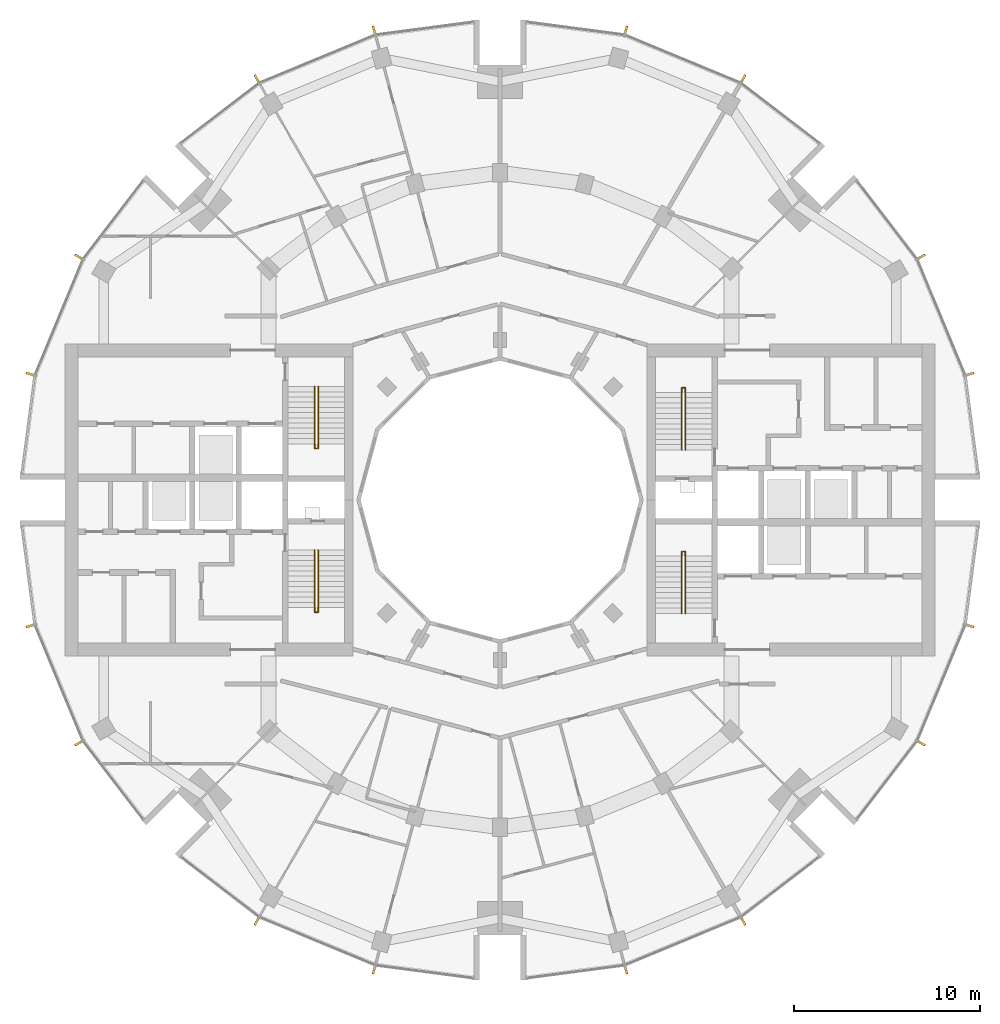
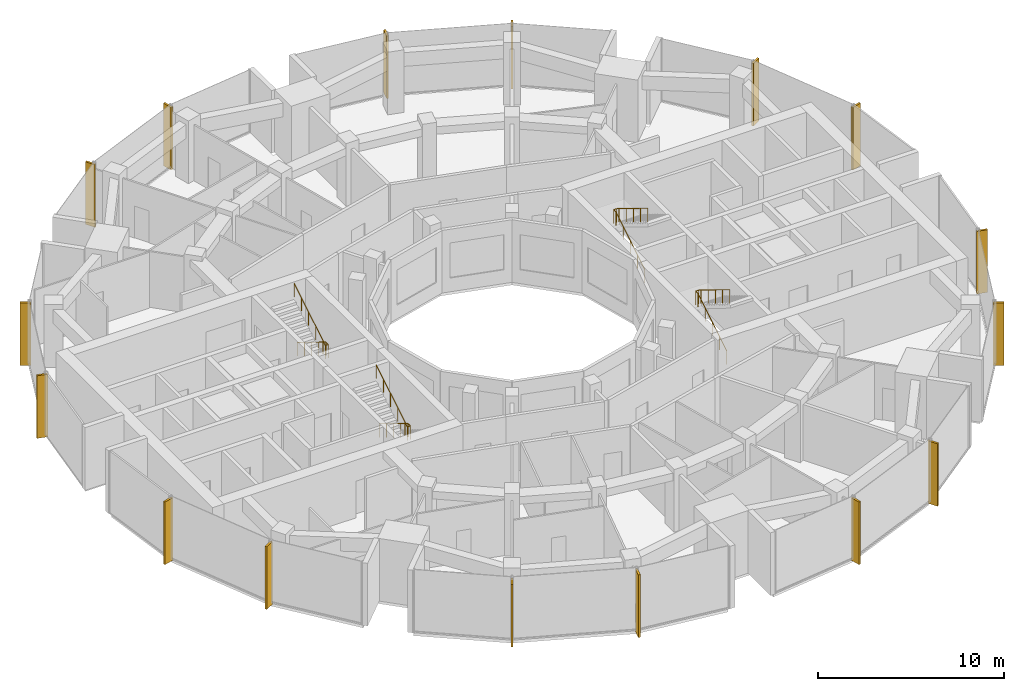
# One storey, part 14 of 15: 16 shading devices, 4 railings.
"""IFC4 building model written with IfcOpenShell, lengths in metres."""

from ifc_helpers import new_model, si_unit, direction, frame, origin, origin_2d, place, context, subcontext, project, spatial, rectangle, circle, extrude, material, material_profile, profile_set, type_object, element, save


model = new_model("IFC4")

# Units and contexts
model_context = context("Model", 3, precision=1e-05, world=origin(), true_north=direction((0.0, 1.0)))
body_context = subcontext(model_context, "Body", "Model", "MODEL_VIEW")
ifc_project = project(units=[si_unit("LENGTHUNIT", "METRE"), si_unit("AREAUNIT", "SQUARE_METRE"), si_unit("VOLUMEUNIT", "CUBIC_METRE"), si_unit("PLANEANGLEUNIT", "RADIAN"), si_unit("MASSUNIT", "GRAM", prefix="KILO")], contexts=[model_context])

# Site, building, storey
site_placement = place(None, origin())
site = spatial("IfcSite", under=ifc_project, at=site_placement, CompositionType="ELEMENT")
building_placement = place(site_placement, origin())
building = spatial("IfcBuilding", under=site, at=building_placement, Name="Torre Brocal", CompositionType="ELEMENT")
storey_placement = place(building_placement, frame((0.0, 0.0, 165.89990234375)))
storey = spatial("IfcBuildingStorey", under=building, at=storey_placement, Name="L38", CompositionType="ELEMENT", Elevation=165.89990234375)

# Shading devices
ifc_material_1 = material(Name="Aluminium, black anodised", Category="aluminium")
ifc_material_profile = material_profile(ifc_material_1, rectangle(XDim=0.1201171875, YDim=0.60009765625, at=origin_2d()), Name="FIN 120X600 4100 HIGH")
ifc_profile_set = profile_set([ifc_material_profile], Name="Aluminium, black anodised")
shading_device_type = type_object("IfcShadingDeviceType", Name="FIN 120X600 4100 HIGH", PredefinedType="USERDEFINED", material=ifc_profile_set)
for number, where, z_axis, x_axis, name in (
    (1, (105.208984375, 81.754638671875, -0.14990234375), (0.0, 0.0, 1.0), (-0.258819045103, 0.965925826289, 0.0), "FIN"),
    (2, (102.601806640625, 88.049072265625, -0.14990234375), (0.0, 0.0, 1.0), (-0.5, 0.866025403784, 0.0), "FIN"),
    (3, (93.049072265625, 97.601806640625, -0.14990234375), (0.0, 0.0, 1.0), (-0.866025403784, 0.5, 0.0), "FIN"),
    (4, (86.754638671875, 100.208984375, -0.14990234375), (0.0, 0.0, 1.0), (-0.965925826289, 0.258819045103, 0.0), "FIN"),
    (5, (73.245361328125, 100.208984375, -0.14990234375), (0.0, 0.0, 1.0), (-0.965925826289, -0.258819045103, 0.0), "FIN"),
    (6, (66.950927734375, 97.601806640625, -0.14990234375), (0.0, 0.0, 1.0), (-0.866025403784, -0.5, 0.0), "FIN"),
    (7, (57.398193359375, 88.049072265625, -0.14990234375), (0.0, 0.0, 1.0), (-0.5, -0.866025403784, 0.0), "FIN"),
    (8, (54.791015625, 81.754638671875, -0.14990234375), (0.0, 0.0, 1.0), (-0.258819045103, -0.965925826289, 0.0), "FIN"),
    (9, (54.791015625, 68.245361328125, -0.14990234375), (0.0, 0.0, 1.0), (0.258819045103, -0.965925826289, 0.0), "FIN"),
    (10, (57.398193359375, 61.950927734375, -0.14990234375), (0.0, 0.0, 1.0), (0.5, -0.866025403784, 0.0), "FIN"),
    (11, (66.950927734375, 52.398193359375, -0.14990234375), (0.0, 0.0, 1.0), (0.866025403784, -0.5, 0.0), "FIN"),
    (12, (73.245361328125, 49.791015625, -0.14990234375), (0.0, 0.0, 1.0), (0.965925826289, -0.258819045103, 0.0), "FIN"),
    (13, (86.754638671875, 49.791015625, -0.14990234375), (0.0, 0.0, 1.0), (0.965925826289, 0.258819045103, 0.0), "FIN"),
    (14, (93.049072265625, 52.398193359375, -0.14990234375), (0.0, 0.0, 1.0), (0.866025403784, 0.5, 0.0), "FIN"),
    (15, (102.601806640625, 61.950927734375, -0.14990234375), (0.0, 0.0, 1.0), (0.5, 0.866025403784, 0.0), "FIN"),
    (16, (105.208984375, 68.245361328125, -0.14990234375), (0.0, 0.0, 1.0), (0.258819045103, 0.965925826289, 0.0), "FIN"),
):
    element("IfcShadingDevice", number, at=place(storey_placement, frame(where, z_axis=z_axis, x_axis=x_axis)), inside=storey, type_object=shading_device_type, Name=name, ObjectType="FIN", PredefinedType="USERDEFINED", context=body_context, shape_type="SweptSolid", body=[
        extrude(rectangle(XDim=0.1201171875, YDim=0.60009765625, at=origin_2d()), origin(), (0.0, 0.0, 1.0), 4.10009765625),
    ])

# Railings
ifc_material_2 = material(Name="Stainless steel AISI 316", Category="steel")
railing_type = type_object("IfcRailingType", Name="STAIR HANDRAIL", PredefinedType="HANDRAIL", material=ifc_material_2)
railing_1_placement = place(storey_placement, frame((89.780029296875, 77.699951171875, 0.1708984375)))
element("IfcRailing", 17, at=railing_1_placement, inside=storey, type_object=railing_type, Name="HANDRAIL ST1", PredefinedType="HANDRAIL", context=body_context, shape_type="SweptSolid", body=[
    extrude(circle(Radius=0.02392578125, at=origin_2d()), frame((0.0, 0.0, 0.8759765625), z_axis=(0.0, 0.853666305674, 0.52082035152), x_axis=(-1.0, 0.0, 0.0)), (0.0, 0.0, 1.0), 3.608154296875),
    extrude(circle(Radius=0.02392578125, at=origin_2d()), frame((0.0, 3.080078125, 2.7548828125), z_axis=(0.0, 1.0, 0.0), x_axis=(-1.0, 0.0, 0.0)), (0.0, 0.0, 1.0), 0.25),
    extrude(circle(Radius=0.02392578125, at=origin_2d()), frame((0.0, 3.330078125, 2.7548828125), z_axis=(1.0, 0.0, 0.0), x_axis=(0.0, 1.0, 0.0)), (0.0, 0.0, 1.0), 0.18994140625),
    extrude(circle(Radius=0.02392578125, at=origin_2d()), frame((0.18994140625, 3.330078125, 2.7548828125), z_axis=(0.0, -0.825544483742, 0.564337049433), x_axis=(1.0, 0.0, 0.0)), (0.0, 0.0, 1.0), 0.302734375),
    extrude(circle(Radius=0.02392578125, at=origin_2d()), frame((0.18994140625, 3.080078125, 2.92578125), z_axis=(0.0, -0.853666305674, 0.52082035152), x_axis=(1.0, 0.0, 0.0)), (0.0, 0.0, 1.0), 3.608154296875),
    extrude(circle(Radius=0.02099609375, at=origin_2d()), origin(), (0.0, 0.0, 1.0), 0.851806640625),
    extrude(circle(Radius=0.02099609375, at=origin_2d()), frame((0.0, 0.77001953125, 0.4697265625)), (0.0, 0.0, 1.0), 0.851806640625),
    extrude(circle(Radius=0.02099609375, at=origin_2d()), frame((0.0, 1.5400390625, 0.939453125)), (0.0, 0.0, 1.0), 0.851806640625),
    extrude(circle(Radius=0.02099609375, at=origin_2d()), frame((0.0, 2.31005859375, 1.409423828125)), (0.0, 0.0, 1.0), 0.851806640625),
    extrude(circle(Radius=0.02099609375, at=origin_2d()), frame((0.0, 3.080078125, 1.879150390625)), (0.0, 0.0, 1.0), 0.851806640625),
    extrude(circle(Radius=0.02099609375, at=origin_2d()), frame((0.0, 3.330078125, 1.879150390625)), (0.0, 0.0, 1.0), 0.851806640625),
    extrude(circle(Radius=0.02099609375, at=origin_2d()), frame((0.18994140625, 3.330078125, 1.879150390625)), (0.0, 0.0, 1.0), 0.851806640625),
    extrude(circle(Radius=0.02099609375, at=origin_2d()), frame((0.18994140625, 3.080078125, 2.050048828125)), (0.0, 0.0, 1.0), 0.851806640625),
    extrude(circle(Radius=0.02099609375, at=origin_2d()), frame((0.18994140625, 2.31005859375, 2.519775390625)), (0.0, 0.0, 1.0), 0.851806640625),
    extrude(circle(Radius=0.02099609375, at=origin_2d()), frame((0.18994140625, 1.5400390625, 2.98974609375)), (0.0, 0.0, 1.0), 0.851806640625),
    extrude(circle(Radius=0.02099609375, at=origin_2d()), frame((0.18994140625, 0.77001953125, 3.45947265625)), (0.0, 0.0, 1.0), 0.851806640625),
    extrude(circle(Radius=0.02099609375, at=origin_2d()), frame((0.18994140625, 0.0, 3.92919921875)), (0.0, 0.0, 1.0), 0.851806640625),
])
railing_2_placement = place(storey_placement, frame((89.780029296875, 68.89990234375, 0.1708984375)))
element("IfcRailing", 18, at=railing_2_placement, inside=storey, type_object=railing_type, Name="HANDRAIL ST2", PredefinedType="HANDRAIL", context=body_context, shape_type="SweptSolid", body=[
    extrude(circle(Radius=0.02392578125, at=origin_2d()), frame((0.0, 0.0, 0.8759765625), z_axis=(0.0, 0.853666305674, 0.52082035152), x_axis=(-1.0, 0.0, 0.0)), (0.0, 0.0, 1.0), 3.608154296875),
    extrude(circle(Radius=0.02392578125, at=origin_2d()), frame((0.0, 3.080078125, 2.7548828125), z_axis=(0.0, 1.0, 0.0), x_axis=(-1.0, 0.0, 0.0)), (0.0, 0.0, 1.0), 0.25),
    extrude(circle(Radius=0.02392578125, at=origin_2d()), frame((0.0, 3.330078125, 2.7548828125), z_axis=(1.0, 0.0, 0.0), x_axis=(0.0, 1.0, 0.0)), (0.0, 0.0, 1.0), 0.18994140625),
    extrude(circle(Radius=0.02392578125, at=origin_2d()), frame((0.18994140625, 3.330078125, 2.7548828125), z_axis=(0.0, -0.825544483742, 0.564337049433), x_axis=(1.0, 0.0, 0.0)), (0.0, 0.0, 1.0), 0.302734375),
    extrude(circle(Radius=0.02392578125, at=origin_2d()), frame((0.18994140625, 3.080078125, 2.92578125), z_axis=(0.0, -0.853666305674, 0.52082035152), x_axis=(1.0, 0.0, 0.0)), (0.0, 0.0, 1.0), 3.608154296875),
    extrude(circle(Radius=0.02099609375, at=origin_2d()), origin(), (0.0, 0.0, 1.0), 0.851806640625),
    extrude(circle(Radius=0.02099609375, at=origin_2d()), frame((0.0, 0.77001953125, 0.4697265625)), (0.0, 0.0, 1.0), 0.851806640625),
    extrude(circle(Radius=0.02099609375, at=origin_2d()), frame((0.0, 1.5400390625, 0.939453125)), (0.0, 0.0, 1.0), 0.851806640625),
    extrude(circle(Radius=0.02099609375, at=origin_2d()), frame((0.0, 2.31005859375, 1.409423828125)), (0.0, 0.0, 1.0), 0.851806640625),
    extrude(circle(Radius=0.02099609375, at=origin_2d()), frame((0.0, 3.080078125, 1.879150390625)), (0.0, 0.0, 1.0), 0.851806640625),
    extrude(circle(Radius=0.02099609375, at=origin_2d()), frame((0.0, 3.330078125, 1.879150390625)), (0.0, 0.0, 1.0), 0.851806640625),
    extrude(circle(Radius=0.02099609375, at=origin_2d()), frame((0.18994140625, 3.330078125, 1.879150390625)), (0.0, 0.0, 1.0), 0.851806640625),
    extrude(circle(Radius=0.02099609375, at=origin_2d()), frame((0.18994140625, 3.080078125, 2.050048828125)), (0.0, 0.0, 1.0), 0.851806640625),
    extrude(circle(Radius=0.02099609375, at=origin_2d()), frame((0.18994140625, 2.31005859375, 2.519775390625)), (0.0, 0.0, 1.0), 0.851806640625),
    extrude(circle(Radius=0.02099609375, at=origin_2d()), frame((0.18994140625, 1.5400390625, 2.98974609375)), (0.0, 0.0, 1.0), 0.851806640625),
    extrude(circle(Radius=0.02099609375, at=origin_2d()), frame((0.18994140625, 0.77001953125, 3.45947265625)), (0.0, 0.0, 1.0), 0.851806640625),
    extrude(circle(Radius=0.02099609375, at=origin_2d()), frame((0.18994140625, 0.0, 3.92919921875)), (0.0, 0.0, 1.0), 0.851806640625),
])
railing_3_placement = place(storey_placement, frame((70.219970703125, 72.300048828125, 0.1708984375)))
element("IfcRailing", 19, at=railing_3_placement, inside=storey, type_object=railing_type, Name="HANDRAIL ST3", PredefinedType="HANDRAIL", context=body_context, shape_type="SweptSolid", body=[
    extrude(circle(Radius=0.02392578125, at=origin_2d()), frame((0.0, 0.0, 0.8759765625), z_axis=(0.0, -0.853666305674, 0.52082035152), x_axis=(1.0, 0.0, 0.0)), (0.0, 0.0, 1.0), 3.608154296875),
    extrude(circle(Radius=0.02392578125, at=origin_2d()), frame((0.0, -3.080078125, 2.7548828125), z_axis=(0.0, -1.0, 0.0), x_axis=(1.0, 0.0, 0.0)), (0.0, 0.0, 1.0), 0.25),
    extrude(circle(Radius=0.02392578125, at=origin_2d()), frame((0.0, -3.330078125, 2.7548828125), z_axis=(-1.0, 0.0, 0.0), x_axis=(0.0, -1.0, 0.0)), (0.0, 0.0, 1.0), 0.18994140625),
    extrude(circle(Radius=0.02392578125, at=origin_2d()), frame((-0.18994140625, -3.330078125, 2.7548828125), z_axis=(0.0, 0.825544483742, 0.564337049433), x_axis=(-1.0, 0.0, 0.0)), (0.0, 0.0, 1.0), 0.302734375),
    extrude(circle(Radius=0.02392578125, at=origin_2d()), frame((-0.18994140625, -3.080078125, 2.92578125), z_axis=(0.0, 0.853666305674, 0.52082035152), x_axis=(-1.0, 0.0, 0.0)), (0.0, 0.0, 1.0), 3.608154296875),
    extrude(circle(Radius=0.02099609375, at=origin_2d()), origin(), (0.0, 0.0, 1.0), 0.851806640625),
    extrude(circle(Radius=0.02099609375, at=origin_2d()), frame((0.0, -0.77001953125, 0.4697265625)), (0.0, 0.0, 1.0), 0.851806640625),
    extrude(circle(Radius=0.02099609375, at=origin_2d()), frame((0.0, -1.5400390625, 0.939453125)), (0.0, 0.0, 1.0), 0.851806640625),
    extrude(circle(Radius=0.02099609375, at=origin_2d()), frame((0.0, -2.31005859375, 1.409423828125)), (0.0, 0.0, 1.0), 0.851806640625),
    extrude(circle(Radius=0.02099609375, at=origin_2d()), frame((0.0, -3.080078125, 1.879150390625)), (0.0, 0.0, 1.0), 0.851806640625),
    extrude(circle(Radius=0.02099609375, at=origin_2d()), frame((0.0, -3.330078125, 1.879150390625)), (0.0, 0.0, 1.0), 0.851806640625),
    extrude(circle(Radius=0.02099609375, at=origin_2d()), frame((-0.18994140625, -3.330078125, 1.879150390625)), (0.0, 0.0, 1.0), 0.851806640625),
    extrude(circle(Radius=0.02099609375, at=origin_2d()), frame((-0.18994140625, -3.080078125, 2.050048828125)), (0.0, 0.0, 1.0), 0.851806640625),
    extrude(circle(Radius=0.02099609375, at=origin_2d()), frame((-0.18994140625, -2.31005859375, 2.519775390625)), (0.0, 0.0, 1.0), 0.851806640625),
    extrude(circle(Radius=0.02099609375, at=origin_2d()), frame((-0.18994140625, -1.5400390625, 2.98974609375)), (0.0, 0.0, 1.0), 0.851806640625),
    extrude(circle(Radius=0.02099609375, at=origin_2d()), frame((-0.18994140625, -0.77001953125, 3.45947265625)), (0.0, 0.0, 1.0), 0.851806640625),
    extrude(circle(Radius=0.02099609375, at=origin_2d()), frame((-0.18994140625, 0.0, 3.92919921875)), (0.0, 0.0, 1.0), 0.851806640625),
])
railing_4_placement = place(storey_placement, frame((70.219970703125, 81.10009765625, 0.1708984375)))
element("IfcRailing", 20, at=railing_4_placement, inside=storey, type_object=railing_type, Name="HANDRAIL ST4", PredefinedType="HANDRAIL", context=body_context, shape_type="SweptSolid", body=[
    extrude(circle(Radius=0.02392578125, at=origin_2d()), frame((0.0, 0.0, 0.8759765625), z_axis=(0.0, -0.853666305674, 0.52082035152), x_axis=(1.0, 0.0, 0.0)), (0.0, 0.0, 1.0), 3.608154296875),
    extrude(circle(Radius=0.02392578125, at=origin_2d()), frame((0.0, -3.080078125, 2.7548828125), z_axis=(0.0, -1.0, 0.0), x_axis=(1.0, 0.0, 0.0)), (0.0, 0.0, 1.0), 0.25),
    extrude(circle(Radius=0.02392578125, at=origin_2d()), frame((0.0, -3.330078125, 2.7548828125), z_axis=(-1.0, 0.0, 0.0), x_axis=(0.0, -1.0, 0.0)), (0.0, 0.0, 1.0), 0.18994140625),
    extrude(circle(Radius=0.02392578125, at=origin_2d()), frame((-0.18994140625, -3.330078125, 2.7548828125), z_axis=(0.0, 0.825544483742, 0.564337049433), x_axis=(-1.0, 0.0, 0.0)), (0.0, 0.0, 1.0), 0.302734375),
    extrude(circle(Radius=0.02392578125, at=origin_2d()), frame((-0.18994140625, -3.080078125, 2.92578125), z_axis=(0.0, 0.853666305674, 0.52082035152), x_axis=(-1.0, 0.0, 0.0)), (0.0, 0.0, 1.0), 3.608154296875),
    extrude(circle(Radius=0.02099609375, at=origin_2d()), origin(), (0.0, 0.0, 1.0), 0.851806640625),
    extrude(circle(Radius=0.02099609375, at=origin_2d()), frame((0.0, -0.77001953125, 0.4697265625)), (0.0, 0.0, 1.0), 0.851806640625),
    extrude(circle(Radius=0.02099609375, at=origin_2d()), frame((0.0, -1.5400390625, 0.939453125)), (0.0, 0.0, 1.0), 0.851806640625),
    extrude(circle(Radius=0.02099609375, at=origin_2d()), frame((0.0, -2.31005859375, 1.409423828125)), (0.0, 0.0, 1.0), 0.851806640625),
    extrude(circle(Radius=0.02099609375, at=origin_2d()), frame((0.0, -3.080078125, 1.879150390625)), (0.0, 0.0, 1.0), 0.851806640625),
    extrude(circle(Radius=0.02099609375, at=origin_2d()), frame((0.0, -3.330078125, 1.879150390625)), (0.0, 0.0, 1.0), 0.851806640625),
    extrude(circle(Radius=0.02099609375, at=origin_2d()), frame((-0.18994140625, -3.330078125, 1.879150390625)), (0.0, 0.0, 1.0), 0.851806640625),
    extrude(circle(Radius=0.02099609375, at=origin_2d()), frame((-0.18994140625, -3.080078125, 2.050048828125)), (0.0, 0.0, 1.0), 0.851806640625),
    extrude(circle(Radius=0.02099609375, at=origin_2d()), frame((-0.18994140625, -2.31005859375, 2.519775390625)), (0.0, 0.0, 1.0), 0.851806640625),
    extrude(circle(Radius=0.02099609375, at=origin_2d()), frame((-0.18994140625, -1.5400390625, 2.98974609375)), (0.0, 0.0, 1.0), 0.851806640625),
    extrude(circle(Radius=0.02099609375, at=origin_2d()), frame((-0.18994140625, -0.77001953125, 3.45947265625)), (0.0, 0.0, 1.0), 0.851806640625),
    extrude(circle(Radius=0.02099609375, at=origin_2d()), frame((-0.18994140625, 0.0, 3.92919921875)), (0.0, 0.0, 1.0), 0.851806640625),
])

save(model, "model.ifc")
